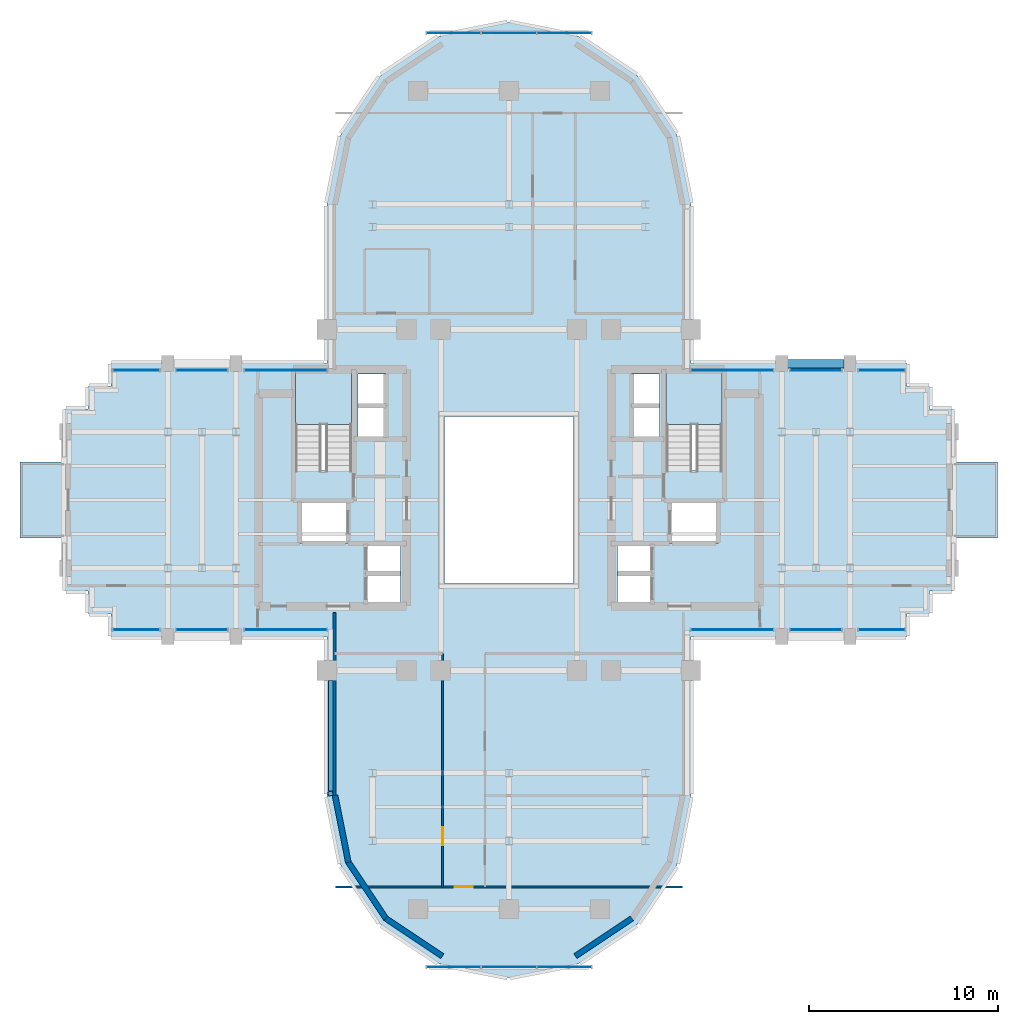
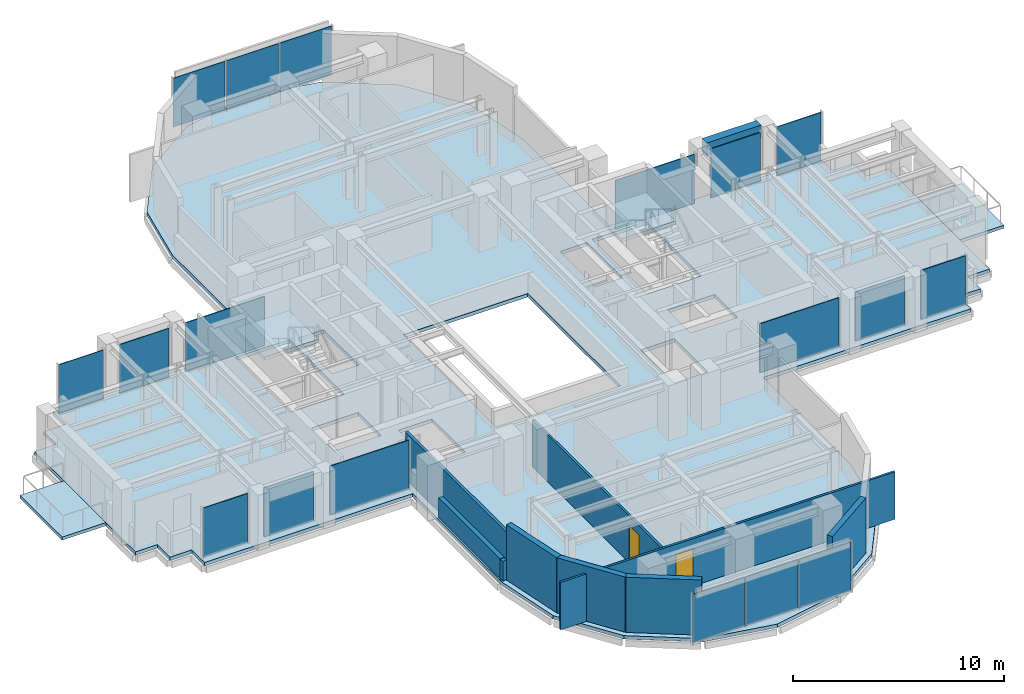
# One storey, part 7 of 13: 18 plates, 9 walls, 5 slabs, 2 doors, 1 beam, 2 openings, 16 elements without a shape of their own.
"""IFC4 building model written with IfcOpenShell, lengths in metres."""

from ifc_helpers import new_model, si_unit, direction, frame, frame_2d, origin, origin_2d, place, context, subcontext, project, spatial, polyline, rectangle, outline, extrude, source, transform, mapped, material, layer, layer_set, material_profile, profile_set, type_object, element, fill, aggregate, save


model = new_model("IFC4")

# Units and contexts
model_context = context("Model", 3, precision=1e-05, world=origin(), true_north=direction((0.0, 1.0)))
body_context = subcontext(model_context, "Body", "Model", "MODEL_VIEW")
ifc_project = project(units=[si_unit("LENGTHUNIT", "METRE"), si_unit("AREAUNIT", "SQUARE_METRE"), si_unit("VOLUMEUNIT", "CUBIC_METRE"), si_unit("PLANEANGLEUNIT", "RADIAN"), si_unit("MASSUNIT", "GRAM", prefix="KILO")], contexts=[model_context])

# Site, building, storey
site_placement = place(None, origin())
site = spatial("IfcSite", under=ifc_project, at=site_placement, CompositionType="ELEMENT")
building_placement = place(site_placement, origin())
building = spatial("IfcBuilding", under=site, at=building_placement, Name="Keilestroom Media Tower", CompositionType="ELEMENT")
storey_placement = place(building_placement, frame((0.0, 0.0, 100.60009765625)))
storey = spatial("IfcBuildingStorey", under=building, at=storey_placement, Name="L26", CompositionType="ELEMENT", Elevation=100.60009765625)

# Beam
ifc_material_1 = material(Name="Precast concrete C40/50", Category="concrete")
ifc_material_profile = material_profile(ifc_material_1, rectangle(XDim=0.449951171875, YDim=0.75, at=origin_2d()), Name="PC 450x750")
ifc_profile_set = profile_set([ifc_material_profile], Name="Precast concrete C40/50")
beam_type = type_object("IfcBeamType", Name="Perimeter-Spandrel-Beam-PC-450x750", PredefinedType="SPANDREL", material=ifc_profile_set)
shared_shape_1 = source(origin(), body_context, "Body", "SweptSolid", [
    extrude(rectangle(XDim=0.449951171875, YDim=0.75, at=origin_2d()), origin(), (0.0, 0.0, 1.0), 2.989990234375),
])
beam_placement = place(storey_placement, frame((14.705078125, 7.199951171875, 2.824951171875), z_axis=(1.0, 0.0, 0.0), x_axis=(0.0, 1.0, 0.0)))
element("IfcBeam", 1, at=beam_placement, inside=storey, type_object=beam_type, Name="L26 Beam SPB-1 BM-L26-EW-027", PredefinedType="SPANDREL", context=body_context, shape_type="MappedRepresentation", body=[
    mapped(shared_shape_1, transform((0.0, 0.0, 0.0), x_axis=(1.0, 0.0, 0.0), y_axis=(0.0, 1.0, 0.0), z_axis=(0.0, 0.0, 1.0), scale=1.0)),
])

# Slabs
ifc_material_2 = material(Name="Concrete C50/60", Category="concrete")
ifc_layer_1 = layer(ifc_material_2, 0.199951171875)
ifc_layer_set_1 = layer_set([ifc_layer_1], Name="Concrete C50/60")
slab_type_1 = type_object("IfcSlabType", Name="Composite-Floor-Slab-200", PredefinedType="FLOOR", material=ifc_layer_set_1)
slab_1_placement = place(storey_placement, frame((0.0, 0.0, -0.2001953125)))
element("IfcSlab", 2, at=slab_1_placement, inside=storey, type_object=slab_type_1, Name="L26 Structural Composite Floor Slab", PredefinedType="FLOOR", context=body_context, shape_type="SweptSolid", body=[
    extrude(outline(polyline([(23.39990234375, -4.800048828125), (23.39990234375, 4.800048828125), (22.199951171875, 4.800048828125), (22.199951171875, 6.0), (21.0, 6.0), (21.0, 7.199951171875), (9.60009765625, 7.199951171875), (9.60009765625, 9.60009765625), (9.60009765625, 15.60009765625), (8.869140625, 19.273681640625), (6.7880859375, 22.38818359375), (3.673828125, 24.46923828125), (0.0, 25.199951171875), (-3.673828125, 24.46923828125), (-6.7880859375, 22.38818359375), (-8.869140625, 19.273681640625), (-9.60009765625, 15.60009765625), (-9.60009765625, 9.60009765625), (-9.60009765625, 7.199951171875), (-21.0, 7.199951171875), (-21.0, 6.0), (-22.199951171875, 6.0), (-22.199951171875, 4.800048828125), (-23.39990234375, 4.800048828125), (-23.39990234375, -4.800048828125), (-22.199951171875, -4.800048828125), (-22.199951171875, -6.0), (-21.0, -6.0), (-21.0, -7.199951171875), (-9.60009765625, -7.199951171875), (-9.60009765625, -9.60009765625), (-9.60009765625, -15.60009765625), (-8.869140625, -19.273681640625), (-6.7880859375, -22.38818359375), (-3.673828125, -24.46923828125), (0.0, -25.199951171875), (3.673828125, -24.46923828125), (6.7880859375, -22.38818359375), (8.869140625, -19.273681640625), (9.60009765625, -15.60009765625), (9.60009765625, -9.60009765625), (9.60009765625, -7.199951171875), (21.0, -7.199951171875), (21.0, -6.0), (22.199951171875, -6.0), (22.199951171875, -4.800048828125), (23.39990234375, -4.800048828125)]), holes=[polyline([(-11.260009765625, 1.544921875), (-11.260009765625, 6.760009765625), (-8.300048828125, 6.760009765625), (-8.300048828125, 1.544921875), (-11.260009765625, 1.544921875)]), polyline([(-11.050048828125, -2.280029296875), (-11.050048828125, -0.10009765625), (-8.47998046875, -0.10009765625), (-8.47998046875, -2.280029296875), (-11.050048828125, -2.280029296875)]), polyline([(-7.949951171875, 3.300048828125), (-7.949951171875, 6.64990234375), (-6.47998046875, 6.64990234375), (-6.47998046875, 3.300048828125), (-7.949951171875, 3.300048828125)]), polyline([(-7.56005859375, -2.320068359375), (-5.719970703125, -2.320068359375), (-5.719970703125, -5.47998046875), (-7.56005859375, -5.47998046875), (-7.56005859375, -2.320068359375)]), polyline([(3.39990234375, -4.39990234375), (-3.39990234375, -4.39990234375), (-3.39990234375, 4.39990234375), (3.39990234375, 4.39990234375), (3.39990234375, -4.39990234375)]), polyline([(7.56005859375, -2.320068359375), (7.56005859375, -5.47998046875), (5.719970703125, -5.47998046875), (5.719970703125, -2.320068359375), (7.56005859375, -2.320068359375)]), polyline([(6.47998046875, 3.300048828125), (6.47998046875, 6.64990234375), (7.949951171875, 6.64990234375), (7.949951171875, 3.300048828125), (6.47998046875, 3.300048828125)]), polyline([(8.300048828125, 1.544921875), (8.300048828125, 6.760009765625), (11.260009765625, 6.760009765625), (11.260009765625, 1.544921875), (8.300048828125, 1.544921875)]), polyline([(8.47998046875, -2.280029296875), (8.47998046875, -0.10009765625), (11.050048828125, -0.10009765625), (11.050048828125, -2.280029296875), (8.47998046875, -2.280029296875)])]), origin(), (0.0, 0.0, 1.0), 0.2001953125),
])
ifc_material_3 = material(Name="Concrete C45/55", Category="concrete")
ifc_layer_2 = layer(ifc_material_3, 0.179931640625)
ifc_layer_set_2 = layer_set([ifc_layer_2], Name="Concrete C45/55")
slab_type_2 = type_object("IfcSlabType", Name="Exterior-Terrace-And-Sky-Garden-Slab-180", PredefinedType="FLOOR", material=ifc_layer_set_2)
slab_2_placement = place(storey_placement, frame((0.0, 0.0, -0.18017578125)))
element("IfcSlab", 3, at=slab_2_placement, inside=storey, type_object=slab_type_2, Name="L26 Winter-Garden Balcony Slab L26-BAL-W", PredefinedType="FLOOR", context=body_context, shape_type="SweptSolid", body=[
    extrude(outline(polyline([(-25.800048828125, -2.0), (-23.39990234375, -2.0), (-23.39990234375, 2.0), (-25.800048828125, 2.0), (-25.800048828125, -2.0)])), origin(), (0.0, 0.0, 1.0), 0.18017578125),
])
slab_3_placement = place(storey_placement, frame((0.0, 0.0, -0.18017578125)))
element("IfcSlab", 4, at=slab_3_placement, inside=storey, type_object=slab_type_2, Name="L26 Winter-Garden Balcony Slab L26-BAL-E", PredefinedType="FLOOR", context=body_context, shape_type="SweptSolid", body=[
    extrude(outline(polyline([(23.39990234375, -2.0), (25.800048828125, -2.0), (25.800048828125, 2.0), (23.39990234375, 2.0), (23.39990234375, -2.0)])), origin(), (0.0, 0.0, 1.0), 0.18017578125),
])

# Stair, slab
stair_type = type_object("IfcStairType", Name="Enclosed-Dog-Leg-Stair-ST-CORE", PredefinedType="HALF_TURN_STAIR", material=ifc_material_3)
stair_1_placement = place(storey_placement, origin())
stair_1 = element("IfcStair", 5, at=stair_1_placement, inside=storey, type_object=stair_type, Name="L26 West Core Escape Stair ST-1", PredefinedType="HALF_TURN_STAIR")
ifc_layer_3 = layer(ifc_material_3, 0.199951171875)
ifc_layer_set_3 = layer_set([ifc_layer_3], Name="Concrete C45/55")
slab_type_3 = type_object("IfcSlabType", Name="Stair-Intermediate-And-Top-Landing-Slab-200", PredefinedType="LANDING", material=ifc_layer_set_3)
slab_4_placement = place(storey_placement, frame((0.0, 0.0, 1.5)))
slab_4 = element("IfcSlab", 6, at=slab_4_placement, type_object=slab_type_3, Name="ST-1 landing 1", PredefinedType="LANDING", context=body_context, shape_type="SweptSolid", body=[
    extrude(outline(polyline([(-8.300048828125, 3.99609375), (-8.300048828125, 6.760009765625), (-11.260009765625, 6.760009765625), (-11.260009765625, 3.99609375), (-8.300048828125, 3.99609375)])), origin(), (0.0, 0.0, 1.0), 0.199951171875),
])
aggregate(stair_1, [slab_4])

stair_2_placement = place(storey_placement, origin())
stair_2 = element("IfcStair", 7, at=stair_2_placement, inside=storey, type_object=stair_type, Name="L26 East Core Escape Stair ST-2", PredefinedType="HALF_TURN_STAIR")
slab_5_placement = place(storey_placement, frame((0.0, 0.0, 1.5)))
slab_5 = element("IfcSlab", 8, at=slab_5_placement, type_object=slab_type_3, Name="ST-2 landing 1", PredefinedType="LANDING", context=body_context, shape_type="SweptSolid", body=[
    extrude(outline(polyline([(11.260009765625, 3.99609375), (11.260009765625, 6.760009765625), (8.300048828125, 6.760009765625), (8.300048828125, 3.99609375), (11.260009765625, 3.99609375)])), origin(), (0.0, 0.0, 1.0), 0.199951171875),
])
aggregate(stair_2, [slab_5])

# Curtain wall, plates
ifc_material_4 = material(Name="Anodised Aluminium Alloy", Category="aluminium")
curtain_wall_type_1 = type_object("IfcCurtainWallType", Name="Unitised-Curtain-Wall-CW-6", PredefinedType="NOTDEFINED", material=ifc_material_4)
curtain_wall_1_placement = place(storey_placement, origin())
curtain_wall_1 = element("IfcCurtainWall", 9, at=curtain_wall_1_placement, inside=storey, type_object=curtain_wall_type_1, Name="L26 Curtain Wall CW-6 CW-L26-LN-1", PredefinedType="NOTDEFINED")
ifc_material_5 = material(Name="Curved-Facet Triple Glazed Unit", Category="glass")
ifc_layer_4 = layer(ifc_material_5, 0.033935546875)
ifc_layer_set_4 = layer_set([ifc_layer_4], Name="Curved-Facet Triple Glazed Unit")
plate_type_1 = type_object("IfcPlateType", Name="Insulated-Curtain-Wall-Glazing-Panel-CW-6", PredefinedType="CURTAIN_PANEL", material=ifc_layer_set_4)
shared_shape_2 = source(origin(), body_context, "Body", "SweptSolid", [
    extrude(rectangle(XDim=2.84375, YDim=0.033935546875, at=origin_2d()), origin(), (0.0, 0.0, 1.0), 2.833984375),
])
plate_1_placement = place(storey_placement, frame((-2.9169921875, 24.64990234375, 0.072998046875), z_axis=(0.0, 0.0, 1.0), x_axis=(1.0, 0.0, 0.0)))
plate_1 = element("IfcPlate", 10, at=plate_1_placement, type_object=plate_type_1, Name="CW-6 Unitised Glazing 00", PredefinedType="CURTAIN_PANEL", context=body_context, shape_type="MappedRepresentation", body=[
    mapped(shared_shape_2, transform((0.0, 0.0, 0.0), x_axis=(1.0, 0.0, 0.0), y_axis=(0.0, 1.0, 0.0), z_axis=(0.0, 0.0, 1.0), scale=1.0)),
])
plate_2_placement = place(storey_placement, frame((2.9169921875, 24.64990234375, 0.072998046875), z_axis=(0.0, 0.0, 1.0), x_axis=(1.0, 0.0, 0.0)))
plate_2 = element("IfcPlate", 11, at=plate_2_placement, type_object=plate_type_1, Name="CW-6 Unitised Glazing 02", PredefinedType="CURTAIN_PANEL", context=body_context, shape_type="MappedRepresentation", body=[
    mapped(shared_shape_2, transform((0.0, 0.0, 0.0), x_axis=(1.0, 0.0, 0.0), y_axis=(0.0, 1.0, 0.0), z_axis=(0.0, 0.0, 1.0), scale=1.0)),
])

curtain_wall_2_placement = place(storey_placement, origin())
curtain_wall_2 = element("IfcCurtainWall", 12, at=curtain_wall_2_placement, inside=storey, type_object=curtain_wall_type_1, Name="L26 Curtain Wall CW-6 CW-L26-LS-1", PredefinedType="NOTDEFINED")
plate_3_placement = place(storey_placement, frame((-2.9169921875, -24.64990234375, 0.072998046875), z_axis=(0.0, 0.0, 1.0), x_axis=(1.0, 0.0, 0.0)))
plate_3 = element("IfcPlate", 13, at=plate_3_placement, type_object=plate_type_1, Name="CW-6 Unitised Glazing 00", PredefinedType="CURTAIN_PANEL", context=body_context, shape_type="MappedRepresentation", body=[
    mapped(shared_shape_2, transform((0.0, 0.0, 0.0), x_axis=(1.0, 0.0, 0.0), y_axis=(0.0, 1.0, 0.0), z_axis=(0.0, 0.0, 1.0), scale=1.0)),
])
plate_4_placement = place(storey_placement, frame((2.9169921875, -24.64990234375, 0.072998046875), z_axis=(0.0, 0.0, 1.0), x_axis=(1.0, 0.0, 0.0)))
plate_4 = element("IfcPlate", 14, at=plate_4_placement, type_object=plate_type_1, Name="CW-6 Unitised Glazing 02", PredefinedType="CURTAIN_PANEL", context=body_context, shape_type="MappedRepresentation", body=[
    mapped(shared_shape_2, transform((0.0, 0.0, 0.0), x_axis=(1.0, 0.0, 0.0), y_axis=(0.0, 1.0, 0.0), z_axis=(0.0, 0.0, 1.0), scale=1.0)),
])

# Plate
shared_shape_3 = source(origin(), body_context, "Body", "SweptSolid", [
    extrude(rectangle(XDim=2.876220703125, YDim=0.033935546875, at=origin_2d()), origin(), (0.0, 0.0, 1.0), 2.833984375),
])
plate_5_placement = place(storey_placement, frame((0.0, 24.64990234375, 0.072998046875), z_axis=(0.0, 0.0, 1.0), x_axis=(1.0, 0.0, 0.0)))
plate_5 = element("IfcPlate", 15, at=plate_5_placement, type_object=plate_type_1, Name="CW-6 Unitised Glazing 01", PredefinedType="CURTAIN_PANEL", context=body_context, shape_type="MappedRepresentation", body=[
    mapped(shared_shape_3, transform((0.0, 0.0, 0.0), x_axis=(1.0, 0.0, 0.0), y_axis=(0.0, 1.0, 0.0), z_axis=(0.0, 0.0, 1.0), scale=1.0)),
])

aggregate(curtain_wall_1, [plate_1, plate_5, plate_2])

plate_6_placement = place(storey_placement, frame((0.0, -24.64990234375, 0.072998046875), z_axis=(0.0, 0.0, 1.0), x_axis=(1.0, 0.0, 0.0)))
plate_6 = element("IfcPlate", 16, at=plate_6_placement, type_object=plate_type_1, Name="CW-6 Unitised Glazing 01", PredefinedType="CURTAIN_PANEL", context=body_context, shape_type="MappedRepresentation", body=[
    mapped(shared_shape_3, transform((0.0, 0.0, 0.0), x_axis=(1.0, 0.0, 0.0), y_axis=(0.0, 1.0, 0.0), z_axis=(0.0, 0.0, 1.0), scale=1.0)),
])

aggregate(curtain_wall_2, [plate_3, plate_6, plate_4])

# Curtain wall, plate
curtain_wall_type_2 = type_object("IfcCurtainWallType", Name="Unitised-Curtain-Wall-CW-2", PredefinedType="NOTDEFINED", material=ifc_material_4)
curtain_wall_3_placement = place(storey_placement, origin())
curtain_wall_3 = element("IfcCurtainWall", 17, at=curtain_wall_3_placement, inside=storey, type_object=curtain_wall_type_2, Name="L26 Curtain Wall CW-2 CW-L26-NW-1", PredefinedType="NOTDEFINED")
ifc_material_6 = material(Name="Double Glazed Low-E Unit", Category="glass")
ifc_layer_5 = layer(ifc_material_6, 0.0419921875)
ifc_layer_set_5 = layer_set([ifc_layer_5], Name="Double Glazed Low-E Unit")
plate_type_2 = type_object("IfcPlateType", Name="Insulated-Curtain-Wall-Glazing-Panel-CW-2", PredefinedType="CURTAIN_PANEL", material=ifc_layer_set_5)
shared_shape_4 = source(origin(), body_context, "Body", "SweptSolid", [
    extrude(rectangle(XDim=2.43310546875, YDim=0.0419921875, at=origin_2d()), origin(), (0.0, 0.0, 1.0), 2.833984375),
])
plate_7_placement = place(storey_placement, frame((-19.66748046875, 6.85009765625, 0.072998046875), z_axis=(0.0, 0.0, 1.0), x_axis=(1.0, 0.0, 0.0)))
plate_7 = element("IfcPlate", 18, at=plate_7_placement, type_object=plate_type_2, Name="CW-2 Unitised Glazing 00", PredefinedType="CURTAIN_PANEL", context=body_context, shape_type="MappedRepresentation", body=[
    mapped(shared_shape_4, transform((0.0, 0.0, 0.0), x_axis=(1.0, 0.0, 0.0), y_axis=(0.0, 1.0, 0.0), z_axis=(0.0, 0.0, 1.0), scale=1.0)),
])
aggregate(curtain_wall_3, [plate_7])

curtain_wall_4_placement = place(storey_placement, origin())
curtain_wall_4 = element("IfcCurtainWall", 19, at=curtain_wall_4_placement, inside=storey, type_object=curtain_wall_type_2, Name="L26 Curtain Wall CW-2 CW-L26-NE-3", PredefinedType="NOTDEFINED")
plate_8_placement = place(storey_placement, frame((19.66748046875, 6.85009765625, 0.072998046875), z_axis=(0.0, 0.0, 1.0), x_axis=(1.0, 0.0, 0.0)))
plate_8 = element("IfcPlate", 20, at=plate_8_placement, type_object=plate_type_2, Name="CW-2 Unitised Glazing 00", PredefinedType="CURTAIN_PANEL", context=body_context, shape_type="MappedRepresentation", body=[
    mapped(shared_shape_4, transform((0.0, 0.0, 0.0), x_axis=(1.0, 0.0, 0.0), y_axis=(0.0, 1.0, 0.0), z_axis=(0.0, 0.0, 1.0), scale=1.0)),
])
aggregate(curtain_wall_4, [plate_8])

curtain_wall_5_placement = place(storey_placement, origin())
curtain_wall_5 = element("IfcCurtainWall", 21, at=curtain_wall_5_placement, inside=storey, type_object=curtain_wall_type_2, Name="L26 Curtain Wall CW-2 CW-L26-SW-1", PredefinedType="NOTDEFINED")
plate_9_placement = place(storey_placement, frame((-19.66748046875, -6.85009765625, 0.072998046875), z_axis=(0.0, 0.0, 1.0), x_axis=(1.0, 0.0, 0.0)))
plate_9 = element("IfcPlate", 22, at=plate_9_placement, type_object=plate_type_2, Name="CW-2 Unitised Glazing 00", PredefinedType="CURTAIN_PANEL", context=body_context, shape_type="MappedRepresentation", body=[
    mapped(shared_shape_4, transform((0.0, 0.0, 0.0), x_axis=(1.0, 0.0, 0.0), y_axis=(0.0, 1.0, 0.0), z_axis=(0.0, 0.0, 1.0), scale=1.0)),
])
aggregate(curtain_wall_5, [plate_9])

curtain_wall_6_placement = place(storey_placement, origin())
curtain_wall_6 = element("IfcCurtainWall", 23, at=curtain_wall_6_placement, inside=storey, type_object=curtain_wall_type_2, Name="L26 Curtain Wall CW-2 CW-L26-SE-3", PredefinedType="NOTDEFINED")
plate_10_placement = place(storey_placement, frame((19.66748046875, -6.85009765625, 0.072998046875), z_axis=(0.0, 0.0, 1.0), x_axis=(1.0, 0.0, 0.0)))
plate_10 = element("IfcPlate", 24, at=plate_10_placement, type_object=plate_type_2, Name="CW-2 Unitised Glazing 00", PredefinedType="CURTAIN_PANEL", context=body_context, shape_type="MappedRepresentation", body=[
    mapped(shared_shape_4, transform((0.0, 0.0, 0.0), x_axis=(1.0, 0.0, 0.0), y_axis=(0.0, 1.0, 0.0), z_axis=(0.0, 0.0, 1.0), scale=1.0)),
])
aggregate(curtain_wall_6, [plate_10])

curtain_wall_7_placement = place(storey_placement, origin())
curtain_wall_7 = element("IfcCurtainWall", 25, at=curtain_wall_7_placement, inside=storey, type_object=curtain_wall_type_2, Name="L26 Curtain Wall CW-2 CW-L26-NW-2", PredefinedType="NOTDEFINED")
shared_shape_5 = source(origin(), body_context, "Body", "SweptSolid", [
    extrude(rectangle(XDim=2.697998046875, YDim=0.0419921875, at=origin_2d()), origin(), (0.0, 0.0, 1.0), 2.833984375),
])
plate_11_placement = place(storey_placement, frame((-16.199951171875, 6.85009765625, 0.072998046875), z_axis=(0.0, 0.0, 1.0), x_axis=(1.0, 0.0, 0.0)))
plate_11 = element("IfcPlate", 26, at=plate_11_placement, type_object=plate_type_2, Name="CW-2 Unitised Glazing 00", PredefinedType="CURTAIN_PANEL", context=body_context, shape_type="MappedRepresentation", body=[
    mapped(shared_shape_5, transform((0.0, 0.0, 0.0), x_axis=(1.0, 0.0, 0.0), y_axis=(0.0, 1.0, 0.0), z_axis=(0.0, 0.0, 1.0), scale=1.0)),
])
aggregate(curtain_wall_7, [plate_11])

curtain_wall_8_placement = place(storey_placement, origin())
curtain_wall_8 = element("IfcCurtainWall", 27, at=curtain_wall_8_placement, inside=storey, type_object=curtain_wall_type_2, Name="L26 Curtain Wall CW-2 CW-L26-NE-2", PredefinedType="NOTDEFINED")
plate_12_placement = place(storey_placement, frame((16.199951171875, 6.85009765625, 0.072998046875), z_axis=(0.0, 0.0, 1.0), x_axis=(1.0, 0.0, 0.0)))
plate_12 = element("IfcPlate", 28, at=plate_12_placement, type_object=plate_type_2, Name="CW-2 Unitised Glazing 00", PredefinedType="CURTAIN_PANEL", context=body_context, shape_type="MappedRepresentation", body=[
    mapped(shared_shape_5, transform((0.0, 0.0, 0.0), x_axis=(1.0, 0.0, 0.0), y_axis=(0.0, 1.0, 0.0), z_axis=(0.0, 0.0, 1.0), scale=1.0)),
])
aggregate(curtain_wall_8, [plate_12])

curtain_wall_9_placement = place(storey_placement, origin())
curtain_wall_9 = element("IfcCurtainWall", 29, at=curtain_wall_9_placement, inside=storey, type_object=curtain_wall_type_2, Name="L26 Curtain Wall CW-2 CW-L26-SW-2", PredefinedType="NOTDEFINED")
plate_13_placement = place(storey_placement, frame((-16.199951171875, -6.85009765625, 0.072998046875), z_axis=(0.0, 0.0, 1.0), x_axis=(1.0, 0.0, 0.0)))
plate_13 = element("IfcPlate", 30, at=plate_13_placement, type_object=plate_type_2, Name="CW-2 Unitised Glazing 00", PredefinedType="CURTAIN_PANEL", context=body_context, shape_type="MappedRepresentation", body=[
    mapped(shared_shape_5, transform((0.0, 0.0, 0.0), x_axis=(1.0, 0.0, 0.0), y_axis=(0.0, 1.0, 0.0), z_axis=(0.0, 0.0, 1.0), scale=1.0)),
])
aggregate(curtain_wall_9, [plate_13])

curtain_wall_10_placement = place(storey_placement, origin())
curtain_wall_10 = element("IfcCurtainWall", 31, at=curtain_wall_10_placement, inside=storey, type_object=curtain_wall_type_2, Name="L26 Curtain Wall CW-2 CW-L26-SE-2", PredefinedType="NOTDEFINED")
plate_14_placement = place(storey_placement, frame((16.199951171875, -6.85009765625, 0.072998046875), z_axis=(0.0, 0.0, 1.0), x_axis=(1.0, 0.0, 0.0)))
plate_14 = element("IfcPlate", 32, at=plate_14_placement, type_object=plate_type_2, Name="CW-2 Unitised Glazing 00", PredefinedType="CURTAIN_PANEL", context=body_context, shape_type="MappedRepresentation", body=[
    mapped(shared_shape_5, transform((0.0, 0.0, 0.0), x_axis=(1.0, 0.0, 0.0), y_axis=(0.0, 1.0, 0.0), z_axis=(0.0, 0.0, 1.0), scale=1.0)),
])
aggregate(curtain_wall_10, [plate_14])

curtain_wall_11_placement = place(storey_placement, origin())
curtain_wall_11 = element("IfcCurtainWall", 33, at=curtain_wall_11_placement, inside=storey, type_object=curtain_wall_type_2, Name="L26 Curtain Wall CW-2 CW-L26-NW-3", PredefinedType="NOTDEFINED")
shared_shape_6 = source(origin(), body_context, "Body", "SweptSolid", [
    extrude(rectangle(XDim=4.3330078125, YDim=0.0419921875, at=origin_2d()), origin(), (0.0, 0.0, 1.0), 2.833984375),
])
plate_15_placement = place(storey_placement, frame((-11.782470703125, 6.85009765625, 0.072998046875), z_axis=(0.0, 0.0, 1.0), x_axis=(1.0, 0.0, 0.0)))
plate_15 = element("IfcPlate", 34, at=plate_15_placement, type_object=plate_type_2, Name="CW-2 Unitised Glazing 00", PredefinedType="CURTAIN_PANEL", context=body_context, shape_type="MappedRepresentation", body=[
    mapped(shared_shape_6, transform((0.0, 0.0, 0.0), x_axis=(1.0, 0.0, 0.0), y_axis=(0.0, 1.0, 0.0), z_axis=(0.0, 0.0, 1.0), scale=1.0)),
])
aggregate(curtain_wall_11, [plate_15])

curtain_wall_12_placement = place(storey_placement, origin())
curtain_wall_12 = element("IfcCurtainWall", 35, at=curtain_wall_12_placement, inside=storey, type_object=curtain_wall_type_2, Name="L26 Curtain Wall CW-2 CW-L26-NE-1", PredefinedType="NOTDEFINED")
plate_16_placement = place(storey_placement, frame((11.782470703125, 6.85009765625, 0.072998046875), z_axis=(0.0, 0.0, 1.0), x_axis=(1.0, 0.0, 0.0)))
plate_16 = element("IfcPlate", 36, at=plate_16_placement, type_object=plate_type_2, Name="CW-2 Unitised Glazing 00", PredefinedType="CURTAIN_PANEL", context=body_context, shape_type="MappedRepresentation", body=[
    mapped(shared_shape_6, transform((0.0, 0.0, 0.0), x_axis=(1.0, 0.0, 0.0), y_axis=(0.0, 1.0, 0.0), z_axis=(0.0, 0.0, 1.0), scale=1.0)),
])
aggregate(curtain_wall_12, [plate_16])

curtain_wall_13_placement = place(storey_placement, origin())
curtain_wall_13 = element("IfcCurtainWall", 37, at=curtain_wall_13_placement, inside=storey, type_object=curtain_wall_type_2, Name="L26 Curtain Wall CW-2 CW-L26-SW-3", PredefinedType="NOTDEFINED")
plate_17_placement = place(storey_placement, frame((-11.782470703125, -6.85009765625, 0.072998046875), z_axis=(0.0, 0.0, 1.0), x_axis=(1.0, 0.0, 0.0)))
plate_17 = element("IfcPlate", 38, at=plate_17_placement, type_object=plate_type_2, Name="CW-2 Unitised Glazing 00", PredefinedType="CURTAIN_PANEL", context=body_context, shape_type="MappedRepresentation", body=[
    mapped(shared_shape_6, transform((0.0, 0.0, 0.0), x_axis=(1.0, 0.0, 0.0), y_axis=(0.0, 1.0, 0.0), z_axis=(0.0, 0.0, 1.0), scale=1.0)),
])
aggregate(curtain_wall_13, [plate_17])

curtain_wall_14_placement = place(storey_placement, origin())
curtain_wall_14 = element("IfcCurtainWall", 39, at=curtain_wall_14_placement, inside=storey, type_object=curtain_wall_type_2, Name="L26 Curtain Wall CW-2 CW-L26-SE-1", PredefinedType="NOTDEFINED")
plate_18_placement = place(storey_placement, frame((11.782470703125, -6.85009765625, 0.072998046875), z_axis=(0.0, 0.0, 1.0), x_axis=(1.0, 0.0, 0.0)))
plate_18 = element("IfcPlate", 40, at=plate_18_placement, type_object=plate_type_2, Name="CW-2 Unitised Glazing 00", PredefinedType="CURTAIN_PANEL", context=body_context, shape_type="MappedRepresentation", body=[
    mapped(shared_shape_6, transform((0.0, 0.0, 0.0), x_axis=(1.0, 0.0, 0.0), y_axis=(0.0, 1.0, 0.0), z_axis=(0.0, 0.0, 1.0), scale=1.0)),
])
aggregate(curtain_wall_14, [plate_18])

# Walls
ifc_layer_6 = layer(ifc_material_1, 0.300048828125)
ifc_layer_set_6 = layer_set([ifc_layer_6], Name="Precast concrete C40/50")
wall_type_1 = type_object("IfcWallType", Name="Exterior-Masonry-Spandrel-Wall-300", PredefinedType="SOLIDWALL", material=ifc_layer_set_6)
for number, where, z_axis, x_axis, name in (
    (41, (-9.1748046875, -15.585205078125, 0.0), (0.0, 0.0, 1.0), (0.195114232679, -0.980780523974, 0.0), "L26 Lobe Facet Precast Frame Wall 07"),
    (42, (-8.48193359375, -19.097412109375, 0.0), (0.0, 0.0, 1.0), (0.555574187116, -0.831466970246, 0.0), "L26 Lobe Facet Precast Frame Wall 08"),
):
    element("IfcWall", number, at=place(storey_placement, frame(where, z_axis=z_axis, x_axis=x_axis)), inside=storey, type_object=wall_type_1, Name=name, PredefinedType="SOLIDWALL", context=body_context, shape_type="SweptSolid", body=[
        extrude(rectangle(XDim=3.608642578125, YDim=0.300048828125, at=frame_2d((1.80419921875, 0.0))), origin(), (0.0, 0.0, 1.0), 3.199951171875),
    ])
for number, where, z_axis, x_axis, name in (
    (43, (-6.497802734375, -22.0771484375, 0.0), (0.0, 0.0, 1.0), (0.8314749531, -0.555562239868, 0.0), "L26 Lobe Facet Precast Frame Wall 09"),
    (44, (3.510009765625, -24.073486328125, 0.0), (0.0, 0.0, 1.0), (0.8314749531, 0.555562239868, 0.0), "L26 Lobe Facet Precast Frame Wall 10"),
):
    element("IfcWall", number, at=place(storey_placement, frame(where, z_axis=z_axis, x_axis=x_axis)), inside=storey, type_object=wall_type_1, Name=name, PredefinedType="SOLIDWALL", context=body_context, shape_type="SweptSolid", body=[
        extrude(rectangle(XDim=3.59326171875, YDim=0.300048828125, at=frame_2d((1.796630859375, 0.0))), origin(), (0.0, 0.0, 1.0), 3.199951171875),
    ])

# Wall, opening, door
ifc_material_7 = material(Name="Gypsum Plasterboard & Steel Stud", Category="steel")
ifc_layer_7 = layer(ifc_material_7, 0.1201171875)
ifc_layer_set_7 = layer_set([ifc_layer_7], Name="Gypsum Plasterboard & Steel Stud")
wall_type_2 = type_object("IfcWallType", Name="Interior-Partition-Wall-120", PredefinedType="PARTITIONING", material=ifc_layer_set_7)
wall_1_placement = place(storey_placement, frame((-3.5, -20.419921875, 0.0), z_axis=(0.0, 0.0, 1.0), x_axis=(0.0, 1.0, 0.0)))
wall_1 = element("IfcWall", 45, at=wall_1_placement, inside=storey, type_object=wall_type_2, Name="L26 Interior Wall WP-L26-SL-SPW", PredefinedType="PARTITIONING", context=body_context, shape_type="SweptSolid", body=[
    extrude(rectangle(XDim=12.31982421875, YDim=0.1201171875, at=frame_2d((6.159912109375, 0.0))), origin(), (0.0, 0.0, 1.0), 2.699951171875),
])
opening_1_placement = place(wall_1_placement, frame((2.199951171875, 0.0, 0.0)))
opening_1 = element("IfcOpeningElement", 46, at=opening_1_placement, cuts=wall_1, Name="Opening DI-03", PredefinedType="OPENING", context=body_context, shape_type="SweptSolid", body=[
    extrude(rectangle(XDim=0.949951171875, YDim=2.14990234375, at=frame_2d((0.47509765625, 1.074951171875))), frame((0.0, 0.070068359375, 0.0), z_axis=(0.0, -1.0, 0.0), x_axis=(1.0, 0.0, 0.0)), (0.0, 0.0, 1.0), 0.14013671875),
])
ifc_material_8 = material(Name="Lacquered European Oak Leaf", Category="wood")
door_type = type_object("IfcDoorType", Name="Interior-Room-And-Suite-Door-DI-03", OperationType="NOTDEFINED", PredefinedType="DOOR", material=ifc_material_8)
shared_shape_7 = source(origin(), body_context, "Body", "SweptSolid", [
    extrude(rectangle(XDim=0.949951171875, YDim=2.14990234375, at=frame_2d((0.47509765625, 1.074951171875))), frame((0.0, 0.02490234375, 0.0), z_axis=(0.0, -1.0, 0.0), x_axis=(1.0, 0.0, 0.0)), (0.0, 0.0, 1.0), 0.050048828125),
])
door_1_placement = place(opening_1_placement, origin())
door_1 = element("IfcDoor", 47, at=door_1_placement, inside=storey, type_object=door_type, Name="L26 Interior Door DI-L26-DSL-W1", OperationType="SINGLE_SWING_LEFT", OverallHeight=2.14990234375, OverallWidth=0.949951171875, PredefinedType="DOOR", context=body_context, shape_type="MappedRepresentation", body=[
    mapped(shared_shape_7, transform((0.0, 0.0, 0.0), x_axis=(1.0, 0.0, 0.0), y_axis=(0.0, 1.0, 0.0), z_axis=(0.0, 0.0, 1.0), scale=1.0)),
])
fill(opening_1, door_1)

wall_2_placement = place(storey_placement, frame((-9.159912109375, -20.419921875, 0.0), z_axis=(0.0, 0.0, 1.0), x_axis=(1.0, 0.0, 0.0)))
wall_2 = element("IfcWall", 48, at=wall_2_placement, inside=storey, type_object=wall_type_2, Name="L26 Interior Wall WP-L26-SL-STIPW", PredefinedType="PARTITIONING", context=body_context, shape_type="SweptSolid", body=[
    extrude(rectangle(XDim=18.31982421875, YDim=0.1201171875, at=frame_2d((9.159912109375, 0.0))), origin(), (0.0, 0.0, 1.0), 2.75),
])
opening_2_placement = place(wall_2_placement, frame((6.31005859375, 0.0, 0.0)))
opening_2 = element("IfcOpeningElement", 49, at=opening_2_placement, cuts=wall_2, Name="Opening DI-03", PredefinedType="OPENING", context=body_context, shape_type="SweptSolid", body=[
    extrude(rectangle(XDim=0.949951171875, YDim=2.14990234375, at=frame_2d((0.47509765625, 1.074951171875))), frame((0.0, 0.070068359375, 0.0), z_axis=(0.0, -1.0, 0.0), x_axis=(1.0, 0.0, 0.0)), (0.0, 0.0, 1.0), 0.14013671875),
])
door_2_placement = place(opening_2_placement, origin())
door_2 = element("IfcDoor", 50, at=door_2_placement, inside=storey, type_object=door_type, Name="L26 Interior Door DI-L26-DSL-TIP", OperationType="SINGLE_SWING_RIGHT", OverallHeight=2.14990234375, OverallWidth=0.949951171875, PredefinedType="DOOR", context=body_context, shape_type="MappedRepresentation", body=[
    mapped(shared_shape_7, transform((0.0, 0.0, 0.0), x_axis=(1.0, 0.0, 0.0), y_axis=(0.0, 1.0, 0.0), z_axis=(0.0, 0.0, 1.0), scale=1.0)),
])
fill(opening_2, door_2)

# Walls
ifc_layer_8 = layer(ifc_material_7, 0.14990234375)
ifc_layer_set_8 = layer_set([ifc_layer_8], Name="Gypsum Plasterboard & Steel Stud")
wall_type_3 = type_object("IfcWallType", Name="Interior-Partition-Wall-150", PredefinedType="PARTITIONING", material=ifc_layer_set_8)
wall_3_placement = place(storey_placement, frame((-9.199951171875, -15.679931640625, 0.0), z_axis=(0.0, 0.0, 1.0), x_axis=(0.0, 1.0, 0.0)))
element("IfcWall", 51, at=wall_3_placement, inside=storey, type_object=wall_type_3, Name="L26 Interior Wall WP-L26-SL-CHKW", PredefinedType="PARTITIONING", context=body_context, shape_type="SweptSolid", body=[
    extrude(rectangle(XDim=9.739990234375, YDim=0.14990234375, at=frame_2d((4.8701171875, 0.0))), origin(), (0.0, 0.0, 1.0), 2.699951171875),
])
ifc_layer_9 = layer(ifc_material_1, 0.239990234375)
ifc_layer_set_9 = layer_set([ifc_layer_9], Name="Precast concrete C40/50")
wall_type_4 = type_object("IfcWallType", Name="Roof-And-Terrace-Parapet-Wall-240", PredefinedType="PARAPET", material=ifc_layer_set_9)
wall_4_placement = place(storey_placement, frame((-9.395263671875, -15.604248046875, 0.0), z_axis=(0.0, 0.0, 1.0), x_axis=(-0.194652052864, 0.980872355771, 0.0)))
element("IfcWall", 52, at=wall_4_placement, inside=storey, type_object=wall_type_4, Name="L26 Perimeter Edge Parapet Wall 07", PredefinedType="PARAPET", context=body_context, shape_type="SweptSolid", body=[
    extrude(rectangle(XDim=0.224609375, YDim=0.239990234375, at=frame_2d((0.1123046875, 0.0))), origin(), (0.0, 0.0, 1.0), 1.14990234375),
])
wall_5_placement = place(storey_placement, frame((-9.39990234375, -15.357666015625, 0.0), z_axis=(0.0, 0.0, 1.0), x_axis=(0.0, 1.0, 0.0)))
element("IfcWall", 53, at=wall_5_placement, inside=storey, type_object=wall_type_4, Name="L26 Perimeter Edge Parapet Wall 08", PredefinedType="PARAPET", context=body_context, shape_type="SweptSolid", body=[
    extrude(rectangle(XDim=5.82958984375, YDim=0.239990234375, at=frame_2d((2.914794921875, 0.0))), origin(), (0.0, 0.0, 1.0), 1.14990234375),
])

save(model, "model.ifc")
